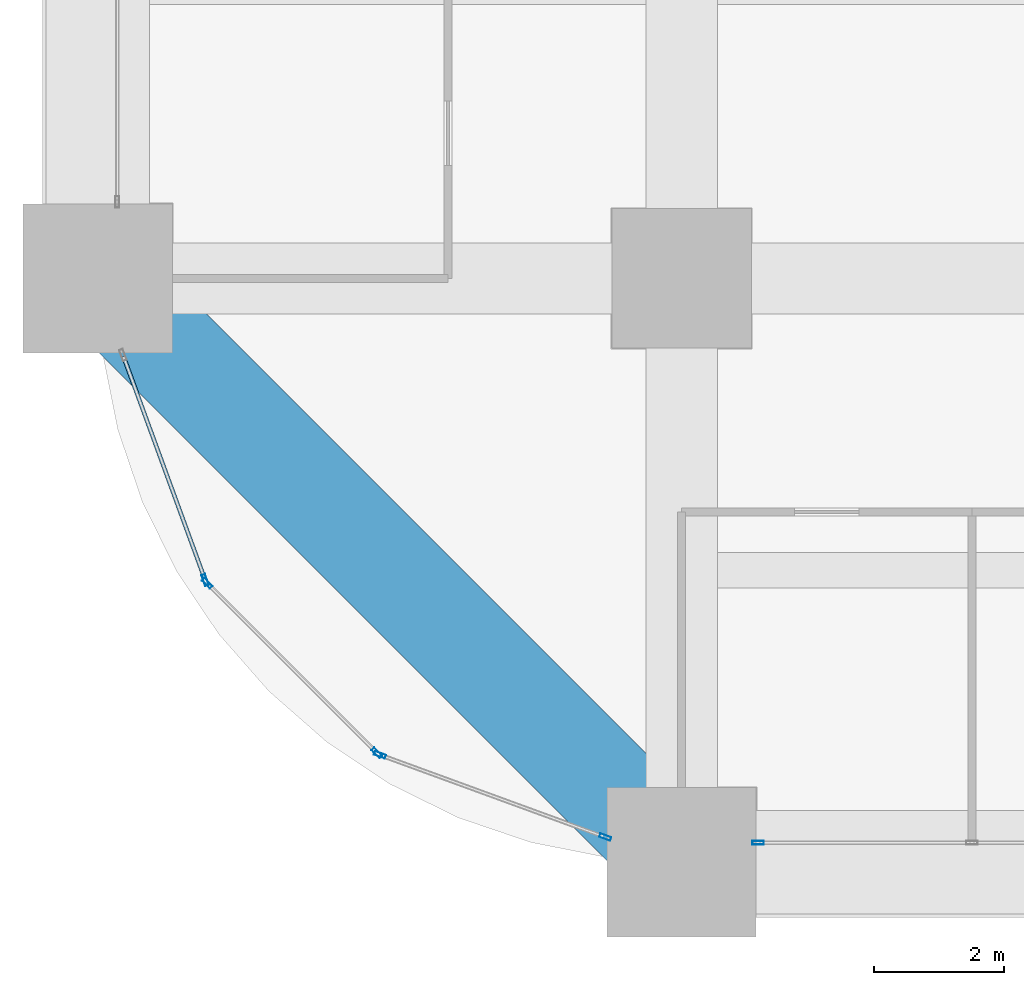
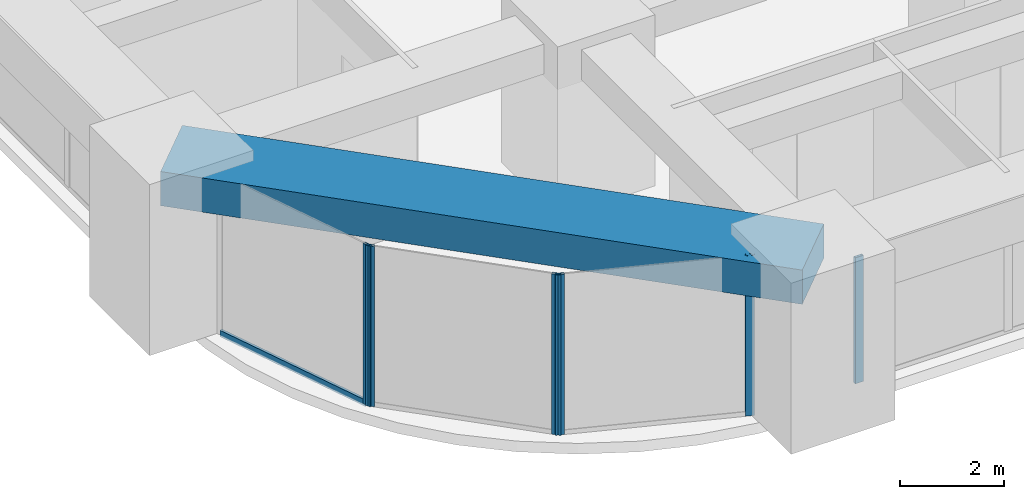
# One storey, part 2 of 45: 7 members, 1 beam, 4 elements without a shape of their own.
"""IFC4 building model written with IfcOpenShell, lengths in metres."""

from ifc_helpers import new_model, si_unit, direction, frame, origin, origin_2d, place, context, subcontext, project, spatial, rectangle, hollow_rectangle, extrude, material, material_profile, profile_set, type_object, element, aggregate, save


model = new_model("IFC4")

# Units and contexts
model_context = context("Model", 3, precision=1e-05, world=origin(), true_north=direction((0.0, 1.0)))
body_context = subcontext(model_context, "Body", "Model", "MODEL_VIEW")
ifc_project = project(units=[si_unit("LENGTHUNIT", "METRE"), si_unit("AREAUNIT", "SQUARE_METRE"), si_unit("VOLUMEUNIT", "CUBIC_METRE"), si_unit("PLANEANGLEUNIT", "RADIAN"), si_unit("MASSUNIT", "GRAM", prefix="KILO")], contexts=[model_context])

# Site, building, storey
site_placement = place(None, origin())
site = spatial("IfcSite", under=ifc_project, at=site_placement, CompositionType="ELEMENT")
building_placement = place(site_placement, origin())
building = spatial("IfcBuilding", under=site, at=building_placement, Name="Zorevar Civic Tower", CompositionType="ELEMENT")
storey_placement = place(building_placement, frame((0.0, 0.0, 71.800048828125)))
storey = spatial("IfcBuildingStorey", under=building, at=storey_placement, Name="L17", CompositionType="ELEMENT", Elevation=71.800048828125)

# Curtain wall, member
ifc_material_1 = material(Name="Dark grey solar-control glass in black aluminium frame", Category="aluminium")
curtain_wall_type = type_object("IfcCurtainWallType", Name="Curtain wall CW2 low zone", PredefinedType="NOTDEFINED", material=ifc_material_1)
curtain_wall_1_placement = place(storey_placement, origin())
curtain_wall_1 = element("IfcCurtainWall", 1, at=curtain_wall_1_placement, inside=storey, type_object=curtain_wall_type, Name="CW2 L17", PredefinedType="NOTDEFINED")
ifc_material_2 = material(Name="Aluminium, black anodised", Category="aluminium")
ifc_material_profile_1 = material_profile(ifc_material_2, hollow_rectangle(XDim=0.06005859375, YDim=0.179931640625, WallThickness=0.00390625, at=origin_2d()), Name="AL 180x60x4")
ifc_profile_set_1 = profile_set([ifc_material_profile_1], Name="Aluminium, black anodised")
member_type_1 = type_object("IfcMemberType", Name="CW2 mullion AL 180x60x4", PredefinedType="MULLION", material=ifc_profile_set_1)
member_1_placement = place(storey_placement, frame((10.179931640625, 0.300048828125, 0.0), z_axis=(0.0, 0.0, 1.0), x_axis=(0.0, 1.0, 0.0)))
member_1 = element("IfcMember", 2, at=member_1_placement, type_object=member_type_1, Name="CW2 mullion 1", PredefinedType="MULLION", context=body_context, shape_type="SweptSolid", body=[
    extrude(hollow_rectangle(XDim=0.06005859375, YDim=0.179931640625, WallThickness=0.00390625, at=origin_2d()), origin(), (0.0, 0.0, 1.0), 2.949951171875),
])
aggregate(curtain_wall_1, [member_1])

curtain_wall_2_placement = place(storey_placement, origin())
curtain_wall_2 = element("IfcCurtainWall", 3, at=curtain_wall_2_placement, inside=storey, type_object=curtain_wall_type, Name="CW2 L17", PredefinedType="NOTDEFINED")
member_2_placement = place(storey_placement, frame((1.65478515625, 4.349609375, 0.0), z_axis=(0.0, 0.0, 1.0), x_axis=(0.939313345732, 0.343060400701, 0.0)))
member_2 = element("IfcMember", 4, at=member_2_placement, type_object=member_type_1, Name="CW2 mullion 2", PredefinedType="MULLION", context=body_context, shape_type="SweptSolid", body=[
    extrude(hollow_rectangle(XDim=0.06005859375, YDim=0.179931640625, WallThickness=0.00390625, at=origin_2d()), origin(), (0.0, 0.0, 1.0), 3.75),
])

# Curtain wall, members
curtain_wall_3_placement = place(storey_placement, origin())
curtain_wall_3 = element("IfcCurtainWall", 5, at=curtain_wall_3_placement, inside=storey, type_object=curtain_wall_type, Name="CW2 L17", PredefinedType="NOTDEFINED")
member_3_placement = place(storey_placement, frame((1.686279296875, 4.30029296875, 0.0), z_axis=(0.0, 0.0, 1.0), x_axis=(0.707106781187, 0.707106781187, 0.0)))
member_3 = element("IfcMember", 6, at=member_3_placement, type_object=member_type_1, Name="CW2 mullion 1", PredefinedType="MULLION", context=body_context, shape_type="SweptSolid", body=[
    extrude(hollow_rectangle(XDim=0.06005859375, YDim=0.179931640625, WallThickness=0.00390625, at=origin_2d()), origin(), (0.0, 0.0, 1.0), 3.75),
])
member_4_placement = place(storey_placement, frame((4.30029296875, 1.686279296875, 0.0), z_axis=(0.0, 0.0, 1.0), x_axis=(0.707106781187, 0.707106781187, 0.0)))
member_4 = element("IfcMember", 7, at=member_4_placement, type_object=member_type_1, Name="CW2 mullion 2", PredefinedType="MULLION", context=body_context, shape_type="SweptSolid", body=[
    extrude(hollow_rectangle(XDim=0.06005859375, YDim=0.179931640625, WallThickness=0.00390625, at=origin_2d()), origin(), (0.0, 0.0, 1.0), 3.75),
])
aggregate(curtain_wall_3, [member_3, member_4])

curtain_wall_4_placement = place(storey_placement, origin())
curtain_wall_4 = element("IfcCurtainWall", 8, at=curtain_wall_4_placement, inside=storey, type_object=curtain_wall_type, Name="CW2 L17", PredefinedType="NOTDEFINED")
member_5_placement = place(storey_placement, frame((4.349609375, 1.65478515625, 0.0), z_axis=(0.0, 0.0, 1.0), x_axis=(0.343060400701, 0.939313345732, 0.0)))
member_5 = element("IfcMember", 9, at=member_5_placement, type_object=member_type_1, Name="CW2 mullion 1", PredefinedType="MULLION", context=body_context, shape_type="SweptSolid", body=[
    extrude(hollow_rectangle(XDim=0.06005859375, YDim=0.179931640625, WallThickness=0.00390625, at=origin_2d()), origin(), (0.0, 0.0, 1.0), 3.75),
])
member_6_placement = place(storey_placement, frame((7.82177734375, 0.38671875, 0.0), z_axis=(0.0, 0.0, 1.0), x_axis=(0.343060400701, 0.939313345732, 0.0)))
member_6 = element("IfcMember", 10, at=member_6_placement, type_object=member_type_1, Name="CW2 mullion 2", PredefinedType="MULLION", context=body_context, shape_type="SweptSolid", body=[
    extrude(hollow_rectangle(XDim=0.06005859375, YDim=0.179931640625, WallThickness=0.00390625, at=origin_2d()), origin(), (0.0, 0.0, 1.0), 3.75),
])
aggregate(curtain_wall_4, [member_5, member_6])

# Member
ifc_material_3 = material(Name="Aluminium, black anodised", Category="aluminium")
ifc_material_profile_2 = material_profile(ifc_material_3, hollow_rectangle(XDim=0.06005859375, YDim=0.14990234375, WallThickness=0.00390625, at=origin_2d()), Name="AL 150x60x4")
ifc_profile_set_2 = profile_set([ifc_material_profile_2], Name="Aluminium, black anodised")
member_type_2 = type_object("IfcMemberType", Name="CW2 transom AL 150x60x4", PredefinedType="USERDEFINED", material=ifc_profile_set_2)
member_7_placement = place(storey_placement, frame((0.39697265625, 7.793701171875, 0.030029296875), z_axis=(0.343047162808, -0.939318180432, 0.0), x_axis=(0.939318180432, 0.343047162808, 0.0)))
member_7 = element("IfcMember", 11, at=member_7_placement, type_object=member_type_2, Name="CW2 sill transom", ObjectType="TRANSOM", PredefinedType="USERDEFINED", context=body_context, shape_type="SweptSolid", body=[
    extrude(hollow_rectangle(XDim=0.06005859375, YDim=0.14990234375, WallThickness=0.00390625, at=origin_2d()), origin(), (0.0, 0.0, 1.0), 3.63671875),
])

aggregate(curtain_wall_2, [member_2, member_7])

# Beam
ifc_material_4 = material(Name="Concrete C50/60", Category="concrete")
ifc_material_profile_3 = material_profile(ifc_material_4, rectangle(XDim=1.60009765625, YDim=0.800048828125, at=origin_2d()), Name="RC 1600x800")
ifc_profile_set_3 = profile_set([ifc_material_profile_3], Name="Concrete C50/60")
beam_type = type_object("IfcBeamType", Name="Edge beam RC 1600x800", PredefinedType="SPANDREL", material=ifc_profile_set_3)
beam_placement = place(storey_placement, frame((0.0, 9.0, 3.349853515625), z_axis=(0.707106781187, -0.707106781187, 0.0), x_axis=(0.707106781187, 0.707106781187, 0.0)))
element("IfcBeam", 12, at=beam_placement, inside=storey, type_object=beam_type, Name="Corner edge beam L18", PredefinedType="SPANDREL", context=body_context, shape_type="SweptSolid", body=[
    extrude(rectangle(XDim=1.60009765625, YDim=0.800048828125, at=origin_2d()), origin(), (0.0, 0.0, 1.0), 12.72802734375),
])

save(model, "model.ifc")
